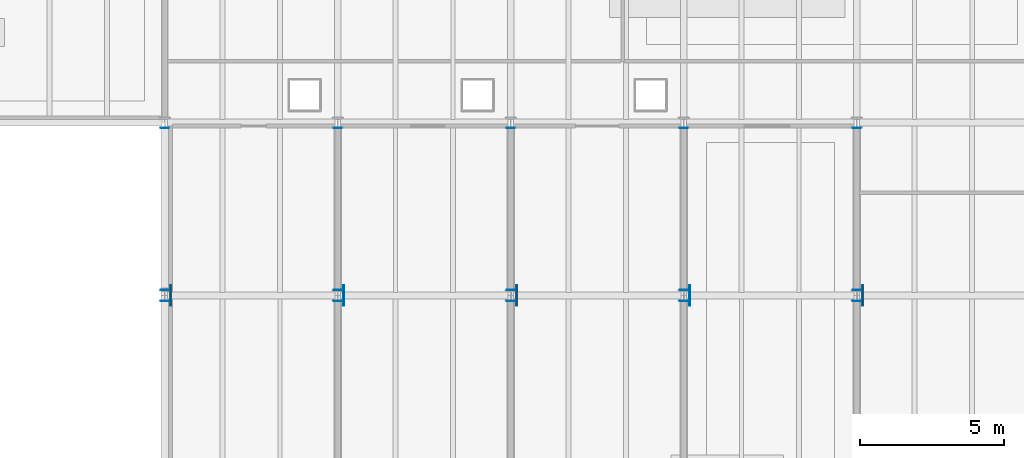
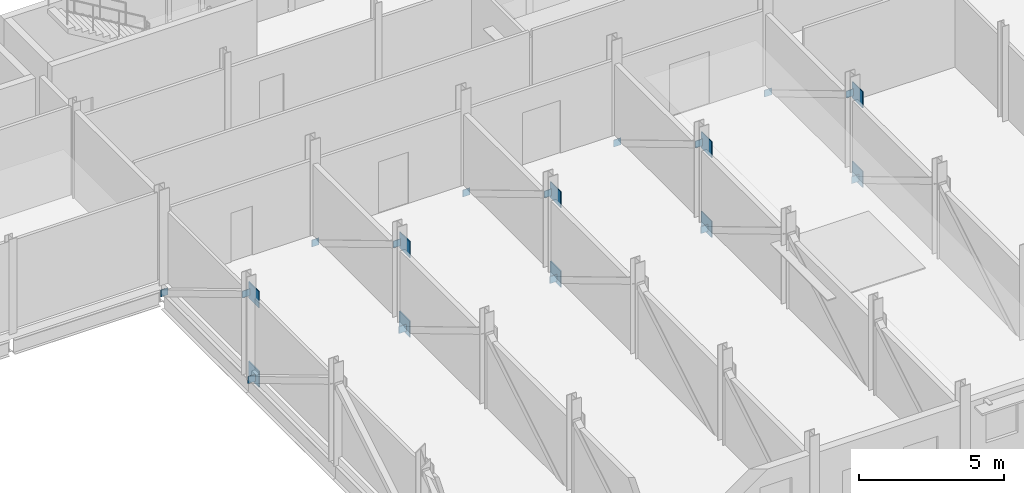
# One storey, part 56 of 92: 25 plates.
"""IFC4 building model written with IfcOpenShell, lengths in metres."""

from ifc_helpers import new_model, si_unit, direction, frame, origin, origin_2d, place, context, subcontext, project, spatial, rectangle, extrude, material, layer, layer_set, type_object, element, save


model = new_model("IFC4")

# Units and contexts
model_context = context("Model", 3, precision=1e-05, world=origin(), true_north=direction((0.0, 1.0)))
body_context = subcontext(model_context, "Body", "Model", "MODEL_VIEW")
ifc_project = project(units=[si_unit("LENGTHUNIT", "METRE"), si_unit("AREAUNIT", "SQUARE_METRE"), si_unit("VOLUMEUNIT", "CUBIC_METRE"), si_unit("PLANEANGLEUNIT", "RADIAN"), si_unit("MASSUNIT", "GRAM", prefix="KILO")], contexts=[model_context])

# Site, building, storey
site_placement = place(None, origin())
site = spatial("IfcSite", under=ifc_project, at=site_placement, CompositionType="ELEMENT")
building_placement = place(site_placement, origin())
building = spatial("IfcBuilding", under=site, at=building_placement, Name="Siltcreek Boulevard Central Fire Station", CompositionType="ELEMENT")
storey_placement = place(building_placement, frame((0.0, 0.0, 6.0)))
storey = spatial("IfcBuildingStorey", under=building, at=storey_placement, Name="L02", CompositionType="ELEMENT", Elevation=6.0)

# Plates
ifc_material = material(Name="Structural steel ASTM A572 Gr50", Category="steel")
ifc_layer_1 = layer(ifc_material, 0.02490234375, Name="Structural steel ASTM A572 Gr50")
ifc_layer_set_1 = layer_set([ifc_layer_1], Name="Structural steel ASTM A572 Gr50")
plate_type_1 = type_object("IfcPlateType", Name="PL_CAP25", PredefinedType="USERDEFINED", material=ifc_layer_set_1)
for number, where, z_axis, x_axis, name in (
    (1, (66.0, 35.80908203125, -0.474853515625), (0.0, 0.0, 1.0), (0.0, -1.0, 0.0), "Pratt transfer truss TT1 diagonal web 3 sealed end cap 1"),
    (2, (66.0, 41.80908203125, -0.474853515625), (0.0, 0.0, 1.0), (0.0, -1.0, 0.0), "Pratt transfer truss TT1 diagonal web 4 sealed end cap 1"),
    (3, (66.0, 36.19091796875, 2.891845703125), (0.0, 0.0, 1.0), (0.0, -1.0, 0.0), "Pratt transfer truss TT1 diagonal web 4 sealed end cap 2"),
    (4, (72.0, 35.80908203125, -0.474853515625), (0.0, 0.0, 1.0), (0.0, -1.0, 0.0), "Pratt transfer truss TT2 diagonal web 3 sealed end cap 1"),
    (5, (72.0, 41.80908203125, -0.474853515625), (0.0, 0.0, 1.0), (0.0, -1.0, 0.0), "Pratt transfer truss TT2 diagonal web 4 sealed end cap 1"),
    (6, (72.0, 36.19091796875, 2.891845703125), (0.0, 0.0, 1.0), (0.0, -1.0, 0.0), "Pratt transfer truss TT2 diagonal web 4 sealed end cap 2"),
    (7, (78.0, 35.80908203125, -0.474853515625), (0.0, 0.0, 1.0), (0.0, -1.0, 0.0), "Pratt transfer truss TT3 diagonal web 3 sealed end cap 1"),
    (8, (78.0, 41.80908203125, -0.474853515625), (0.0, 0.0, 1.0), (0.0, -1.0, 0.0), "Pratt transfer truss TT3 diagonal web 4 sealed end cap 1"),
    (9, (78.0, 36.19091796875, 2.891845703125), (0.0, 0.0, 1.0), (0.0, -1.0, 0.0), "Pratt transfer truss TT3 diagonal web 4 sealed end cap 2"),
    (10, (84.0, 35.80908203125, -0.474853515625), (0.0, 0.0, 1.0), (0.0, -1.0, 0.0), "Pratt transfer truss TT4 diagonal web 3 sealed end cap 1"),
    (11, (84.0, 41.80908203125, -0.474853515625), (0.0, 0.0, 1.0), (0.0, -1.0, 0.0), "Pratt transfer truss TT4 diagonal web 4 sealed end cap 1"),
    (12, (84.0, 36.19091796875, 2.891845703125), (0.0, 0.0, 1.0), (0.0, -1.0, 0.0), "Pratt transfer truss TT4 diagonal web 4 sealed end cap 2"),
    (13, (90.0, 35.80908203125, -0.474853515625), (0.0, 0.0, 1.0), (0.0, -1.0, 0.0), "Pratt transfer truss TT5 diagonal web 3 sealed end cap 1"),
    (14, (90.0, 41.80908203125, -0.474853515625), (0.0, 0.0, 1.0), (0.0, -1.0, 0.0), "Pratt transfer truss TT5 diagonal web 4 sealed end cap 1"),
    (15, (90.0, 36.19091796875, 2.891845703125), (0.0, 0.0, 1.0), (0.0, -1.0, 0.0), "Pratt transfer truss TT5 diagonal web 4 sealed end cap 2"),
):
    element("IfcPlate", number, at=place(storey_placement, frame(where, z_axis=z_axis, x_axis=x_axis)), inside=storey, type_object=plate_type_1, Name=name, ObjectType="END CAP", PredefinedType="USERDEFINED", context=body_context, shape_type="SweptSolid", body=[
        extrude(rectangle(XDim=0.02490234375, YDim=0.2900390625, at=origin_2d()), origin(), (0.0, 0.0, 1.0), 0.2900390625),
    ])
ifc_layer_2 = layer(ifc_material, 0.033935546875, Name="Structural steel ASTM A572 Gr50")
ifc_layer_set_2 = layer_set([ifc_layer_2], Name="Structural steel ASTM A572 Gr50")
plate_type_2 = type_object("IfcPlateType", Name="PL_GUS34", PredefinedType="USERDEFINED", material=ifc_layer_set_2)
for number, where, z_axis, x_axis, name in (
    (16, (66.2099609375, 36.0, 2.68359375), (0.0, 0.0, 1.0), (1.0, 0.0, 0.0), "Pratt transfer truss node gusset plate GP-006"),
    (17, (72.2099609375, 36.0, 2.68359375), (0.0, 0.0, 1.0), (1.0, 0.0, 0.0), "Pratt transfer truss node gusset plate GP-012"),
    (18, (78.2099609375, 36.0, 2.68359375), (0.0, 0.0, 1.0), (1.0, 0.0, 0.0), "Pratt transfer truss node gusset plate GP-018"),
    (19, (84.2099609375, 36.0, 2.68359375), (0.0, 0.0, 1.0), (1.0, 0.0, 0.0), "Pratt transfer truss node gusset plate GP-024"),
    (20, (90.2099609375, 36.0, 2.68359375), (0.0, 0.0, 1.0), (1.0, 0.0, 0.0), "Pratt transfer truss node gusset plate GP-030"),
):
    element("IfcPlate", number, at=place(storey_placement, frame(where, z_axis=z_axis, x_axis=x_axis)), inside=storey, type_object=plate_type_2, Name=name, ObjectType="GUSSET PLATE", PredefinedType="USERDEFINED", context=body_context, shape_type="SweptSolid", body=[
        extrude(rectangle(XDim=0.033935546875, YDim=0.719970703125, at=origin_2d()), origin(), (0.0, 0.0, 1.0), 0.679931640625),
    ])
ifc_layer_3 = layer(ifc_material, 0.0400390625, Name="Structural steel ASTM A572 Gr50")
ifc_layer_set_3 = layer_set([ifc_layer_3], Name="Structural steel ASTM A572 Gr50")
plate_type_3 = type_object("IfcPlateType", Name="PL_GUS40", PredefinedType="USERDEFINED", material=ifc_layer_set_3)
for number, where, z_axis, x_axis, name in (
    (21, (66.2099609375, 36.0, -0.65625), (0.0, 0.0, 1.0), (1.0, 0.0, 0.0), "Pratt transfer truss node gusset plate GP-005"),
    (22, (72.2099609375, 36.0, -0.65625), (0.0, 0.0, 1.0), (1.0, 0.0, 0.0), "Pratt transfer truss node gusset plate GP-011"),
    (23, (78.2099609375, 36.0, -0.65625), (0.0, 0.0, 1.0), (1.0, 0.0, 0.0), "Pratt transfer truss node gusset plate GP-017"),
    (24, (84.2099609375, 36.0, -0.65625), (0.0, 0.0, 1.0), (1.0, 0.0, 0.0), "Pratt transfer truss node gusset plate GP-023"),
    (25, (90.2099609375, 36.0, -0.65625), (0.0, 0.0, 1.0), (1.0, 0.0, 0.0), "Pratt transfer truss node gusset plate GP-029"),
):
    element("IfcPlate", number, at=place(storey_placement, frame(where, z_axis=z_axis, x_axis=x_axis)), inside=storey, type_object=plate_type_3, Name=name, ObjectType="GUSSET PLATE", PredefinedType="USERDEFINED", context=body_context, shape_type="SweptSolid", body=[
        extrude(rectangle(XDim=0.0400390625, YDim=0.719970703125, at=origin_2d()), origin(), (0.0, 0.0, 1.0), 0.679931640625),
    ])

save(model, "model.ifc")
